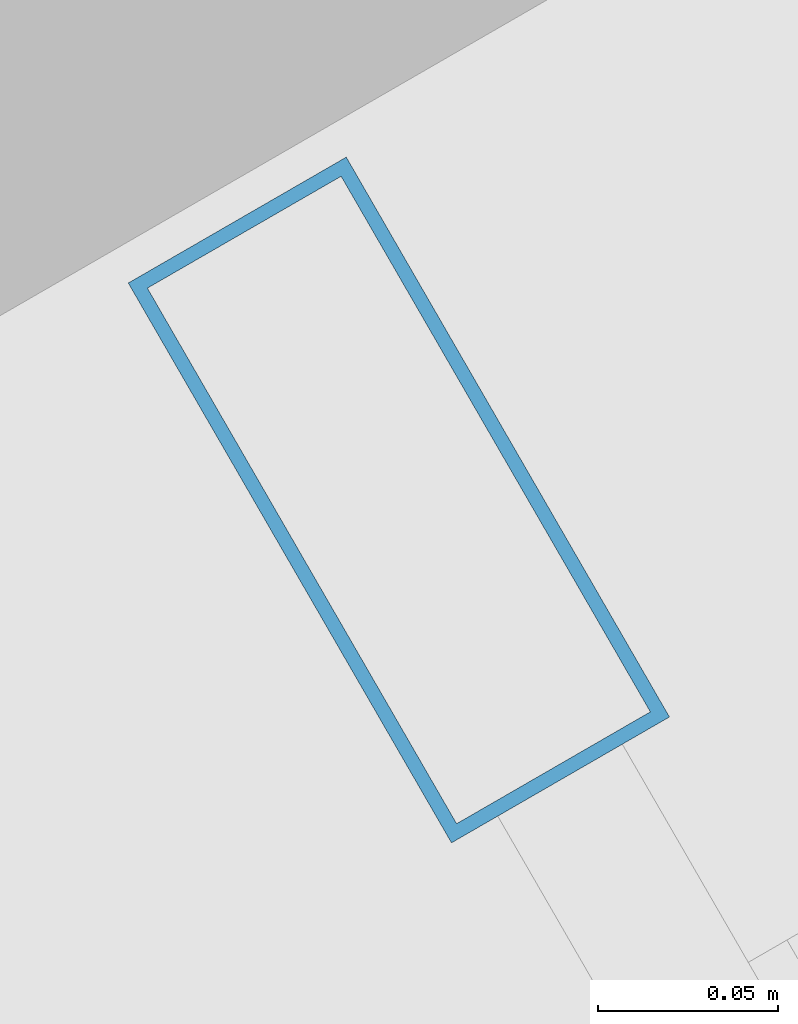
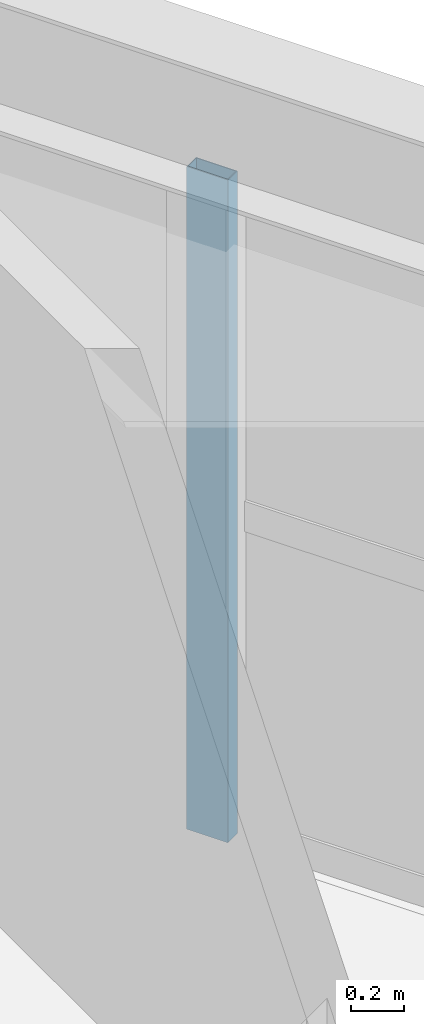
# One storey, part 4 of 15: 1 member, 1 element without a shape of its own.
"""IFC4 building model written with IfcOpenShell, lengths in metres."""

from ifc_helpers import new_model, si_unit, direction, frame, origin, origin_2d, place, context, subcontext, project, spatial, hollow_rectangle, extrude, material, layer, layer_set, material_profile, profile_set, type_object, element, aggregate, save


model = new_model("IFC4")

# Units and contexts
model_context = context("Model", 3, precision=1e-05, world=origin(), true_north=direction((0.0, 1.0)))
body_context = subcontext(model_context, "Body", "Model", "MODEL_VIEW")
ifc_project = project(units=[si_unit("LENGTHUNIT", "METRE"), si_unit("AREAUNIT", "SQUARE_METRE"), si_unit("VOLUMEUNIT", "CUBIC_METRE"), si_unit("PLANEANGLEUNIT", "RADIAN"), si_unit("MASSUNIT", "GRAM", prefix="KILO")], contexts=[model_context])

# Site, building, storey
site_placement = place(None, origin())
site = spatial("IfcSite", under=ifc_project, at=site_placement, CompositionType="ELEMENT")
building_placement = place(site_placement, origin())
building = spatial("IfcBuilding", under=site, at=building_placement, Name="Oramaril Tower", CompositionType="ELEMENT")
storey_placement = place(building_placement, frame((0.0, 0.0, 265.5)))
storey = spatial("IfcBuildingStorey", under=building, at=storey_placement, Name="L70", CompositionType="ELEMENT", Elevation=265.5)

# Curtain wall, member
ifc_material_1 = material(Name="Anodised Aluminium 6063-T6", Category="aluminium")
ifc_layer = layer(ifc_material_1, 0.179931640625)
ifc_layer_set = layer_set([ifc_layer], Name="CWT-SYS4")
curtain_wall_type = type_object("IfcCurtainWallType", Name="CWT-SYS4", PredefinedType="NOTDEFINED", material=ifc_layer_set)
curtain_wall_placement = place(storey_placement, origin())
curtain_wall = element("IfcCurtainWall", 1, at=curtain_wall_placement, inside=storey, type_object=curtain_wall_type, Name="L70 Unitised Curtain Wall CW-4", PredefinedType="NOTDEFINED")
ifc_material_2 = material(Name="Anodised Aluminium 6063-T6", Category="aluminium")
ifc_material_profile = material_profile(ifc_material_2, hollow_rectangle(XDim=0.070068359375, YDim=0.179931640625, WallThickness=0.00390625, at=origin_2d()), Name="CWM180X70")
ifc_profile_set = profile_set([ifc_material_profile], Name="Anodised Aluminium 6063-T6")
member_type = type_object("IfcMemberType", Name="MT-CWM2", PredefinedType="MULLION", material=ifc_profile_set)
member_placement = place(storey_placement, frame((48.369873046875, 28.5234375, 0.0), z_axis=(0.0, 0.0, 1.0), x_axis=(-0.866025463091, -0.499999897278, 0.0)))
member = element("IfcMember", 2, at=member_placement, type_object=member_type, Name="CW-4 mullion 3", PredefinedType="MULLION", context=body_context, shape_type="SweptSolid", body=[
    extrude(hollow_rectangle(XDim=0.070068359375, YDim=0.179931640625, WallThickness=0.00390625, at=origin_2d()), origin(), (0.0, 0.0, 1.0), 3.05810546875),
])
aggregate(curtain_wall, [member])

save(model, "model.ifc")
